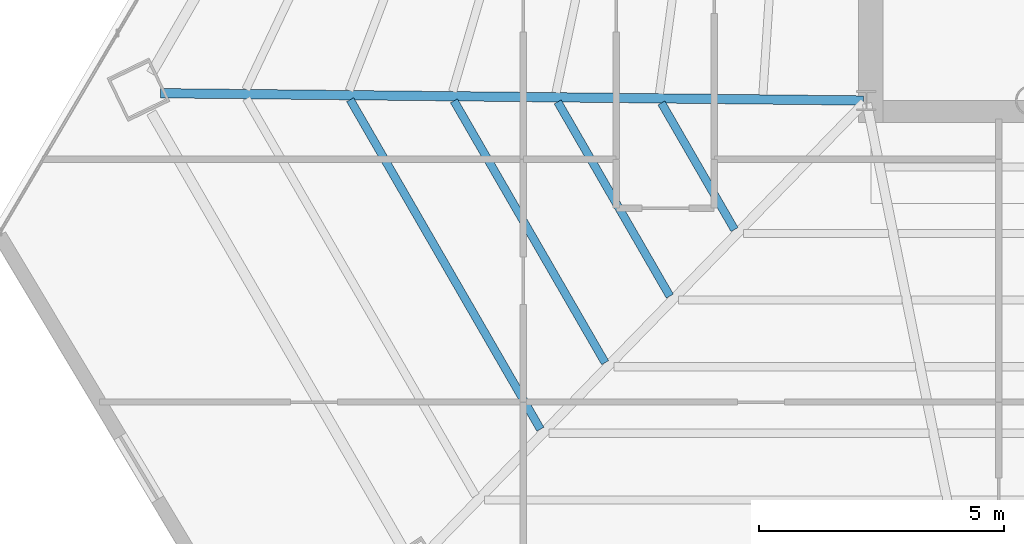
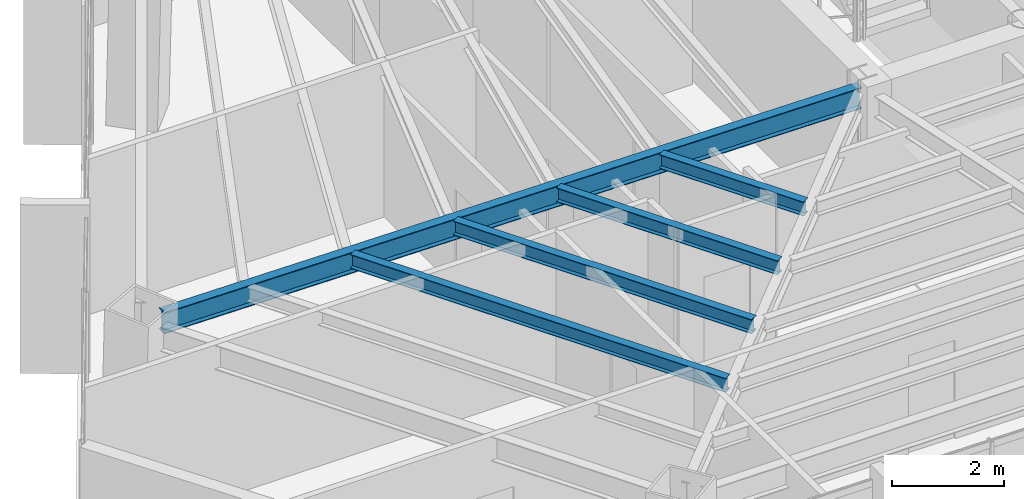
# One storey, part 7 of 41: 5 beams.
"""IFC4 building model written with IfcOpenShell, lengths in metres."""

from ifc_helpers import new_model, si_unit, direction, frame, origin, origin_2d, place, context, subcontext, project, spatial, i_section, extrude, source, transform, mapped, material, material_profile, profile_set, type_object, type_shapes, element, save


model = new_model("IFC4")

# Units and contexts
model_context = context("Model", 3, precision=1e-05, world=origin(), true_north=direction((0.0, 1.0)))
body_context = subcontext(model_context, "Body", "Model", "MODEL_VIEW")
ifc_project = project(units=[si_unit("LENGTHUNIT", "METRE"), si_unit("AREAUNIT", "SQUARE_METRE"), si_unit("VOLUMEUNIT", "CUBIC_METRE"), si_unit("PLANEANGLEUNIT", "RADIAN"), si_unit("MASSUNIT", "GRAM", prefix="KILO")], contexts=[model_context])

# Site, building, storey
site_placement = place(None, origin())
site = spatial("IfcSite", under=ifc_project, at=site_placement, CompositionType="ELEMENT")
building_placement = place(site_placement, origin())
building = spatial("IfcBuilding", under=site, at=building_placement, Name="Caelisora Broadcast Tower", CompositionType="ELEMENT")
storey_placement = place(building_placement, frame((0.0, 0.0, 180.39990234375)))
storey = spatial("IfcBuildingStorey", under=building, at=storey_placement, Name="L47", CompositionType="ELEMENT", Elevation=180.39990234375)

# Beams
ifc_material = material(Name="Steel Grade 350 (AS/NZS 3679.1)", Category="steel")
ifc_material_profile_1 = material_profile(ifc_material, i_section(OverallWidth=0.19091796875, OverallDepth=0.46044921875, WebThickness=0.010009765625, FlangeThickness=0.01611328125, at=origin_2d()), Name="Steel Grade 350 (AS/NZS 3679.1)")
ifc_profile_set_1 = profile_set([ifc_material_profile_1], Name="Steel Grade 350 (AS/NZS 3679.1)")
beam_type_1 = type_object("IfcBeamType", Name="PG06", PredefinedType="BEAM", material=ifc_profile_set_1)
shared_shape_1 = source(origin(), body_context, "Body", "SweptSolid", [
    extrude(i_section(OverallWidth=0.19091796875, OverallDepth=0.46044921875, WebThickness=0.010009765625, FlangeThickness=0.01611328125, at=origin_2d()), origin(), (0.0, 0.0, 1.0), 14.33447265625),
])
type_shapes(beam_type_1, [shared_shape_1])
beam_1_placement = place(storey_placement, frame((30.43994140625, 17.400634765625, 3.169921875), z_axis=(-0.999946206402, 0.010372285257, 0.0), x_axis=(-0.010372285257, -0.999946206402, 0.0)))
element("IfcBeam", 1, at=beam_1_placement, inside=storey, type_object=beam_type_1, Name="L47 beam PG06", PredefinedType="BEAM", context=body_context, shape_type="MappedRepresentation", body=[
    mapped(shared_shape_1, transform((0.0, 0.0, 0.0), scale=1.0)),
])
ifc_material_profile_2 = material_profile(ifc_material, i_section(OverallWidth=0.166015625, OverallDepth=0.30712890625, WebThickness=0.006591796875, FlangeThickness=0.01171875, at=origin_2d()), Name="Steel Grade 350 (AS/NZS 3679.1)")
ifc_profile_set_2 = profile_set([ifc_material_profile_2], Name="Steel Grade 350 (AS/NZS 3679.1)")
beam_type_2 = type_object("IfcBeamType", Name="SB03", PredefinedType="JOIST", material=ifc_profile_set_2)
shared_shape_2 = source(origin(), body_context, "Body", "SweptSolid", [
    extrude(i_section(OverallWidth=0.166015625, OverallDepth=0.30712890625, WebThickness=0.006591796875, FlangeThickness=0.01171875, at=origin_2d()), origin(), (0.0, 0.0, 1.0), 2.981201171875),
])
beam_2_placement = place(storey_placement, frame((26.321533203125, 17.3505859375, 3.24658203125), z_axis=(0.4999705729, -0.866042392862, 0.0), x_axis=(0.866042392862, 0.4999705729, 0.0)))
element("IfcBeam", 2, at=beam_2_placement, inside=storey, type_object=beam_type_2, Name="L47 beam SB03", PredefinedType="JOIST", context=body_context, shape_type="MappedRepresentation", body=[
    mapped(shared_shape_2, transform((0.0, 0.0, 0.0), scale=1.0)),
])
shared_shape_3 = source(origin(), body_context, "Body", "SweptSolid", [
    extrude(i_section(OverallWidth=0.166015625, OverallDepth=0.30712890625, WebThickness=0.006591796875, FlangeThickness=0.01171875, at=origin_2d()), origin(), (0.0, 0.0, 1.0), 4.573974609375),
])
beam_3_placement = place(storey_placement, frame((24.205078125, 17.37255859375, 3.24658203125), z_axis=(0.500019690644, -0.866014035087, 0.0), x_axis=(0.866014035087, 0.500019690644, 0.0)))
element("IfcBeam", 3, at=beam_3_placement, inside=storey, type_object=beam_type_2, Name="L47 beam SB03", PredefinedType="JOIST", context=body_context, shape_type="MappedRepresentation", body=[
    mapped(shared_shape_3, transform((0.0, 0.0, 0.0), scale=1.0)),
])
shared_shape_4 = source(origin(), body_context, "Body", "SweptSolid", [
    extrude(i_section(OverallWidth=0.166015625, OverallDepth=0.30712890625, WebThickness=0.006591796875, FlangeThickness=0.01171875, at=origin_2d()), origin(), (0.0, 0.0, 1.0), 6.166259765625),
])
beam_4_placement = place(storey_placement, frame((22.089111328125, 17.394287109375, 3.24658203125), z_axis=(0.49998864337, -0.866031960439, 0.0), x_axis=(0.866031960439, 0.49998864337, 0.0)))
element("IfcBeam", 4, at=beam_4_placement, inside=storey, type_object=beam_type_2, Name="L47 beam SB03", PredefinedType="JOIST", context=body_context, shape_type="MappedRepresentation", body=[
    mapped(shared_shape_4, transform((0.0, 0.0, 0.0), scale=1.0)),
])
shared_shape_5 = source(origin(), body_context, "Body", "SweptSolid", [
    extrude(i_section(OverallWidth=0.166015625, OverallDepth=0.30712890625, WebThickness=0.006591796875, FlangeThickness=0.01171875, at=origin_2d()), origin(), (0.0, 0.0, 1.0), 7.75927734375),
])
type_shapes(beam_type_2, [shared_shape_2, shared_shape_3, shared_shape_4, shared_shape_5])
beam_5_placement = place(storey_placement, frame((19.97265625, 17.41650390625, 3.24658203125), z_axis=(0.500000264084, -0.866025251315, 0.0), x_axis=(0.866025251315, 0.500000264084, 0.0)))
element("IfcBeam", 5, at=beam_5_placement, inside=storey, type_object=beam_type_2, Name="L47 beam SB03", PredefinedType="JOIST", context=body_context, shape_type="MappedRepresentation", body=[
    mapped(shared_shape_5, transform((0.0, 0.0, 0.0), scale=1.0)),
])

save(model, "model.ifc")
